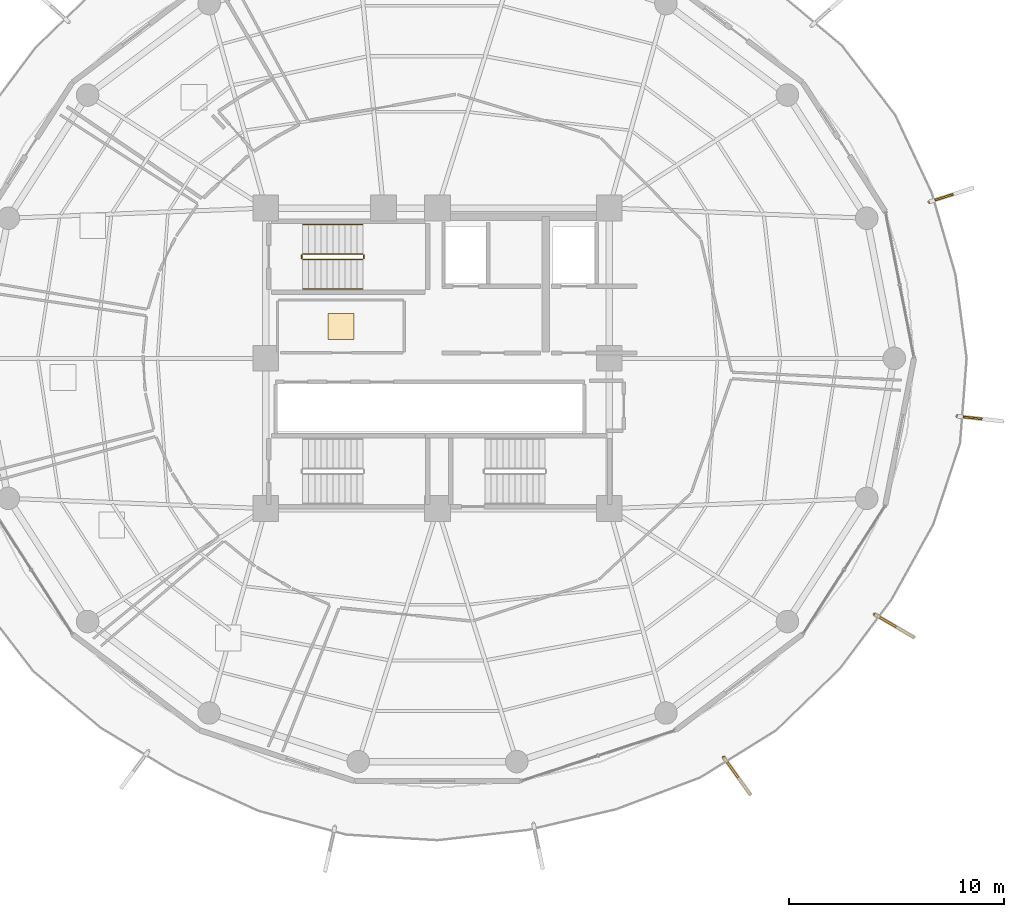
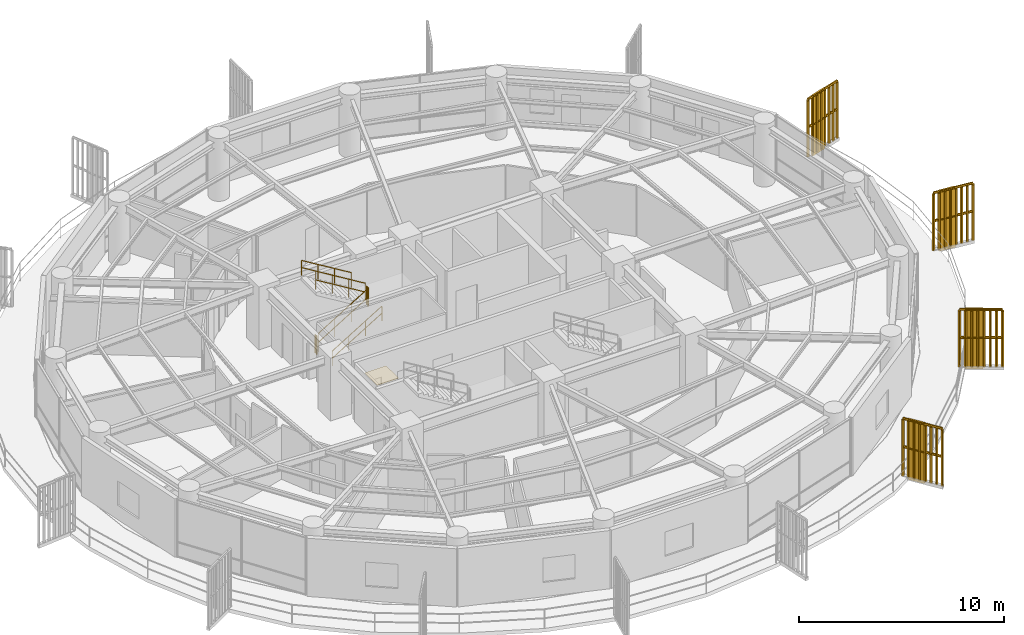
# One storey, part 30 of 31: 10 railings, 4 shading devices, 1 covering.
"""IFC4 building model written with IfcOpenShell, lengths in metres."""

from ifc_helpers import new_model, si_unit, direction, frame, origin, origin_2d, place, context, subcontext, project, spatial, polyline, rectangle, outline, extrude, source, transform, mapped, material, layer, layer_set, type_object, element, save


model = new_model("IFC4")

# Units and contexts
model_context = context("Model", 3, precision=1e-05, world=origin(), true_north=direction((0.0, 1.0)))
body_context = subcontext(model_context, "Body", "Model", "MODEL_VIEW")
ifc_project = project(units=[si_unit("LENGTHUNIT", "METRE"), si_unit("AREAUNIT", "SQUARE_METRE"), si_unit("VOLUMEUNIT", "CUBIC_METRE"), si_unit("PLANEANGLEUNIT", "RADIAN"), si_unit("MASSUNIT", "GRAM", prefix="KILO")], contexts=[model_context])

# Site, building, storey
site_placement = place(None, origin())
site = spatial("IfcSite", under=ifc_project, at=site_placement, CompositionType="ELEMENT")
building_placement = place(site_placement, origin())
building = spatial("IfcBuilding", under=site, at=building_placement, Name="Kelanora Arch Commons", CompositionType="ELEMENT")
storey_placement = place(building_placement, frame((0.0, 0.0, 193.199951171875)))
storey = spatial("IfcBuildingStorey", under=building, at=storey_placement, Name="L49", CompositionType="ELEMENT", Elevation=193.199951171875)

# Railings
ifc_material_1 = material(Name="Anodised bronze vertical shading fin rib assembly")
railing_type_1 = type_object("IfcRailingType", Name="RAIL-FIN-BRZ", PredefinedType="BALUSTRADE", material=ifc_material_1)
railing_1_placement = place(storey_placement, frame((94.361328125, 46.07470703125, -0.02001953125)))
element("IfcRailing", 1, at=railing_1_placement, inside=storey, type_object=railing_type_1, Name="Sweeping Bronze Vertical Fin Blade L49-00", PredefinedType="BALUSTRADE", context=body_context, shape_type="SweptSolid", body=[
    extrude(outline(polyline([(0.06982421875, 0.0), (0.034912109375, 0.060546875), (-0.034912109375, 0.060546875), (-0.06982421875, 0.0), (-0.034912109375, -0.060546875), (0.034912109375, -0.060546875), (0.06982421875, 0.0)])), frame((0.0, 0.0, 3.419921875), z_axis=(0.862891297451, -0.505389561411, 0.0), x_axis=(0.505389561411, 0.862891297451, 0.0)), (0.0, 0.0, 1.0), 2.108154296875),
    extrude(outline(polyline([(0.06982421875, 0.0), (0.034912109375, 0.060546875), (-0.034912109375, 0.060546875), (-0.06982421875, 0.0), (-0.034912109375, -0.060546875), (0.034912109375, -0.060546875), (0.06982421875, 0.0)])), frame((0.0, 0.0, 1.7451171875), z_axis=(0.862891297451, -0.505389561411, 0.0), x_axis=(0.505389561411, 0.862891297451, 0.0)), (0.0, 0.0, 1.0), 2.108154296875),
    extrude(outline(polyline([(0.080078125, 0.0), (0.0400390625, 0.0693359375), (-0.0400390625, 0.0693359375), (-0.080078125, 0.0), (-0.0400390625, -0.0693359375), (0.0400390625, -0.0693359375), (0.080078125, 0.0)])), origin(), (0.0, 0.0, 1.0), 3.35009765625),
    extrude(outline(polyline([(0.080078125, 0.0), (0.0400390625, 0.0693359375), (-0.0400390625, 0.0693359375), (-0.080078125, 0.0), (-0.0400390625, -0.0693359375), (0.0400390625, -0.0693359375), (0.080078125, 0.0)])), frame((0.259765625, -0.152099609375, 0.0)), (0.0, 0.0, 1.0), 3.35009765625),
    extrude(outline(polyline([(0.080078125, 0.0), (0.0400390625, 0.0693359375), (-0.0400390625, 0.0693359375), (-0.080078125, 0.0), (-0.0400390625, -0.0693359375), (0.0400390625, -0.0693359375), (0.080078125, 0.0)])), frame((0.519775390625, -0.304443359375, 0.0)), (0.0, 0.0, 1.0), 3.35009765625),
    extrude(outline(polyline([(0.080078125, 0.0), (0.0400390625, 0.0693359375), (-0.0400390625, 0.0693359375), (-0.080078125, 0.0), (-0.0400390625, -0.0693359375), (0.0400390625, -0.0693359375), (0.080078125, 0.0)])), frame((0.779541015625, -0.45654296875, 0.0)), (0.0, 0.0, 1.0), 3.35009765625),
    extrude(outline(polyline([(0.080078125, 0.0), (0.0400390625, 0.0693359375), (-0.0400390625, 0.0693359375), (-0.080078125, 0.0), (-0.0400390625, -0.0693359375), (0.0400390625, -0.0693359375), (0.080078125, 0.0)])), frame((1.03955078125, -0.60888671875, 0.0)), (0.0, 0.0, 1.0), 3.35009765625),
    extrude(outline(polyline([(0.080078125, 0.0), (0.0400390625, 0.0693359375), (-0.0400390625, 0.0693359375), (-0.080078125, 0.0), (-0.0400390625, -0.0693359375), (0.0400390625, -0.0693359375), (0.080078125, 0.0)])), frame((1.29931640625, -0.760986328125, 0.0)), (0.0, 0.0, 1.0), 3.35009765625),
    extrude(outline(polyline([(0.080078125, 0.0), (0.0400390625, 0.0693359375), (-0.0400390625, 0.0693359375), (-0.080078125, 0.0), (-0.0400390625, -0.0693359375), (0.0400390625, -0.0693359375), (0.080078125, 0.0)])), frame((1.559326171875, -0.913330078125, 0.0)), (0.0, 0.0, 1.0), 3.35009765625),
    extrude(outline(polyline([(0.080078125, 0.0), (0.0400390625, 0.0693359375), (-0.0400390625, 0.0693359375), (-0.080078125, 0.0), (-0.0400390625, -0.0693359375), (0.0400390625, -0.0693359375), (0.080078125, 0.0)])), frame((1.819091796875, -1.0654296875, 0.0)), (0.0, 0.0, 1.0), 3.35009765625),
])
railing_2_placement = place(storey_placement, frame((98.21533203125, 55.30224609375, -0.02001953125)))
element("IfcRailing", 2, at=railing_2_placement, inside=storey, type_object=railing_type_1, Name="Sweeping Bronze Vertical Fin Blade L49-01", PredefinedType="BALUSTRADE", context=body_context, shape_type="SweptSolid", body=[
    extrude(outline(polyline([(0.06982421875, 0.0), (0.034912109375, 0.060546875), (-0.034912109375, 0.060546875), (-0.06982421875, 0.0), (-0.034912109375, -0.060546875), (0.034912109375, -0.060546875), (0.06982421875, 0.0)])), frame((0.0, 0.0, 3.419921875), z_axis=(0.993852625261, -0.110711152383, 0.0), x_axis=(0.110711152383, 0.993852625261, 0.0)), (0.0, 0.0, 1.0), 2.108154296875),
    extrude(outline(polyline([(0.06982421875, 0.0), (0.034912109375, 0.060546875), (-0.034912109375, 0.060546875), (-0.06982421875, 0.0), (-0.034912109375, -0.060546875), (0.034912109375, -0.060546875), (0.06982421875, 0.0)])), frame((0.0, 0.0, 1.7451171875), z_axis=(0.993852625261, -0.110711152383, 0.0), x_axis=(0.110711152383, 0.993852625261, 0.0)), (0.0, 0.0, 1.0), 2.108154296875),
    extrude(outline(polyline([(0.080078125, 0.0), (0.0400390625, 0.0693359375), (-0.0400390625, 0.0693359375), (-0.080078125, 0.0), (-0.0400390625, -0.0693359375), (0.0400390625, -0.0693359375), (0.080078125, 0.0)])), origin(), (0.0, 0.0, 1.0), 3.35009765625),
    extrude(outline(polyline([(0.080078125, 0.0), (0.0400390625, 0.0693359375), (-0.0400390625, 0.0693359375), (-0.080078125, 0.0), (-0.0400390625, -0.0693359375), (0.0400390625, -0.0693359375), (0.080078125, 0.0)])), frame((0.29931640625, -0.033447265625, 0.0)), (0.0, 0.0, 1.0), 3.35009765625),
    extrude(outline(polyline([(0.080078125, 0.0), (0.0400390625, 0.0693359375), (-0.0400390625, 0.0693359375), (-0.080078125, 0.0), (-0.0400390625, -0.0693359375), (0.0400390625, -0.0693359375), (0.080078125, 0.0)])), frame((0.5986328125, -0.066650390625, 0.0)), (0.0, 0.0, 1.0), 3.35009765625),
    extrude(outline(polyline([(0.080078125, 0.0), (0.0400390625, 0.0693359375), (-0.0400390625, 0.0693359375), (-0.080078125, 0.0), (-0.0400390625, -0.0693359375), (0.0400390625, -0.0693359375), (0.080078125, 0.0)])), frame((0.89794921875, -0.10009765625, 0.0)), (0.0, 0.0, 1.0), 3.35009765625),
    extrude(outline(polyline([(0.080078125, 0.0), (0.0400390625, 0.0693359375), (-0.0400390625, 0.0693359375), (-0.080078125, 0.0), (-0.0400390625, -0.0693359375), (0.0400390625, -0.0693359375), (0.080078125, 0.0)])), frame((1.197265625, -0.13330078125, 0.0)), (0.0, 0.0, 1.0), 3.35009765625),
    extrude(outline(polyline([(0.080078125, 0.0), (0.0400390625, 0.0693359375), (-0.0400390625, 0.0693359375), (-0.080078125, 0.0), (-0.0400390625, -0.0693359375), (0.0400390625, -0.0693359375), (0.080078125, 0.0)])), frame((1.49658203125, -0.166748046875, 0.0)), (0.0, 0.0, 1.0), 3.35009765625),
    extrude(outline(polyline([(0.080078125, 0.0), (0.0400390625, 0.0693359375), (-0.0400390625, 0.0693359375), (-0.080078125, 0.0), (-0.0400390625, -0.0693359375), (0.0400390625, -0.0693359375), (0.080078125, 0.0)])), frame((1.7958984375, -0.199951171875, 0.0)), (0.0, 0.0, 1.0), 3.35009765625),
    extrude(outline(polyline([(0.080078125, 0.0), (0.0400390625, 0.0693359375), (-0.0400390625, 0.0693359375), (-0.080078125, 0.0), (-0.0400390625, -0.0693359375), (0.0400390625, -0.0693359375), (0.080078125, 0.0)])), frame((2.09521484375, -0.2333984375, 0.0)), (0.0, 0.0, 1.0), 3.35009765625),
])
railing_3_placement = place(storey_placement, frame((96.9130859375, 65.287353515625, -0.02001953125)))
element("IfcRailing", 3, at=railing_3_placement, inside=storey, type_object=railing_type_1, Name="Sweeping Bronze Vertical Fin Blade L49-02", PredefinedType="BALUSTRADE", context=body_context, shape_type="SweptSolid", body=[
    extrude(outline(polyline([(0.06982421875, 0.0), (0.034912109375, 0.060546875), (-0.034912109375, 0.060546875), (-0.06982421875, 0.0), (-0.034912109375, -0.060546875), (0.034912109375, -0.060546875), (0.06982421875, 0.0)])), frame((0.0, 0.0, 3.419921875), z_axis=(0.952959237878, 0.3030984839, 0.0), x_axis=(-0.3030984839, 0.952959237878, 0.0)), (0.0, 0.0, 1.0), 2.10791015625),
    extrude(outline(polyline([(0.06982421875, 0.0), (0.034912109375, 0.060546875), (-0.034912109375, 0.060546875), (-0.06982421875, 0.0), (-0.034912109375, -0.060546875), (0.034912109375, -0.060546875), (0.06982421875, 0.0)])), frame((0.0, 0.0, 1.7451171875), z_axis=(0.952959237878, 0.3030984839, 0.0), x_axis=(-0.3030984839, 0.952959237878, 0.0)), (0.0, 0.0, 1.0), 2.10791015625),
    extrude(outline(polyline([(0.080078125, 0.0), (0.0400390625, 0.0693359375), (-0.0400390625, 0.0693359375), (-0.080078125, 0.0), (-0.0400390625, -0.0693359375), (0.0400390625, -0.0693359375), (0.080078125, 0.0)])), origin(), (0.0, 0.0, 1.0), 3.35009765625),
    extrude(outline(polyline([(0.080078125, 0.0), (0.0400390625, 0.0693359375), (-0.0400390625, 0.0693359375), (-0.080078125, 0.0), (-0.0400390625, -0.0693359375), (0.0400390625, -0.0693359375), (0.080078125, 0.0)])), frame((0.286865234375, 0.09130859375, 0.0)), (0.0, 0.0, 1.0), 3.35009765625),
    extrude(outline(polyline([(0.080078125, 0.0), (0.0400390625, 0.0693359375), (-0.0400390625, 0.0693359375), (-0.080078125, 0.0), (-0.0400390625, -0.0693359375), (0.0400390625, -0.0693359375), (0.080078125, 0.0)])), frame((0.573974609375, 0.1826171875, 0.0)), (0.0, 0.0, 1.0), 3.35009765625),
    extrude(outline(polyline([(0.080078125, 0.0), (0.0400390625, 0.0693359375), (-0.0400390625, 0.0693359375), (-0.080078125, 0.0), (-0.0400390625, -0.0693359375), (0.0400390625, -0.0693359375), (0.080078125, 0.0)])), frame((0.86083984375, 0.27392578125, 0.0)), (0.0, 0.0, 1.0), 3.35009765625),
    extrude(outline(polyline([(0.080078125, 0.0), (0.0400390625, 0.0693359375), (-0.0400390625, 0.0693359375), (-0.080078125, 0.0), (-0.0400390625, -0.0693359375), (0.0400390625, -0.0693359375), (0.080078125, 0.0)])), frame((1.14794921875, 0.364990234375, 0.0)), (0.0, 0.0, 1.0), 3.35009765625),
    extrude(outline(polyline([(0.080078125, 0.0), (0.0400390625, 0.0693359375), (-0.0400390625, 0.0693359375), (-0.080078125, 0.0), (-0.0400390625, -0.0693359375), (0.0400390625, -0.0693359375), (0.080078125, 0.0)])), frame((1.434814453125, 0.456298828125, 0.0)), (0.0, 0.0, 1.0), 3.35009765625),
    extrude(outline(polyline([(0.080078125, 0.0), (0.0400390625, 0.0693359375), (-0.0400390625, 0.0693359375), (-0.080078125, 0.0), (-0.0400390625, -0.0693359375), (0.0400390625, -0.0693359375), (0.080078125, 0.0)])), frame((1.721923828125, 0.547607421875, 0.0)), (0.0, 0.0, 1.0), 3.35009765625),
    extrude(outline(polyline([(0.080078125, 0.0), (0.0400390625, 0.0693359375), (-0.0400390625, 0.0693359375), (-0.080078125, 0.0), (-0.0400390625, -0.0693359375), (0.0400390625, -0.0693359375), (0.080078125, 0.0)])), frame((2.0087890625, 0.638916015625, 0.0)), (0.0, 0.0, 1.0), 3.35009765625),
])
railing_4_placement = place(storey_placement, frame((87.32958984375, 39.410888671875, -0.02001953125)))
element("IfcRailing", 4, at=railing_4_placement, inside=storey, type_object=railing_type_1, Name="Sweeping Bronze Vertical Fin Blade L49-14", PredefinedType="BALUSTRADE", context=body_context, shape_type="SweptSolid", body=[
    extrude(outline(polyline([(0.06982421875, 0.0), (0.034912109375, 0.060546875), (-0.034912109375, 0.060546875), (-0.06982421875, 0.0), (-0.034912109375, -0.060546875), (0.034912109375, -0.060546875), (0.06982421875, 0.0)])), frame((0.0, 0.0, 3.419921875), z_axis=(0.582759931499, -0.812644363937, 0.0), x_axis=(0.812644363937, 0.582759931499, 0.0)), (0.0, 0.0, 1.0), 2.108154296875),
    extrude(outline(polyline([(0.06982421875, 0.0), (0.034912109375, 0.060546875), (-0.034912109375, 0.060546875), (-0.06982421875, 0.0), (-0.034912109375, -0.060546875), (0.034912109375, -0.060546875), (0.06982421875, 0.0)])), frame((0.0, 0.0, 1.7451171875), z_axis=(0.582759931499, -0.812644363937, 0.0), x_axis=(0.812644363937, 0.582759931499, 0.0)), (0.0, 0.0, 1.0), 2.108154296875),
    extrude(outline(polyline([(0.080078125, 0.0), (0.0400390625, 0.0693359375), (-0.0400390625, 0.0693359375), (-0.080078125, 0.0), (-0.0400390625, -0.0693359375), (0.0400390625, -0.0693359375), (0.080078125, 0.0)])), origin(), (0.0, 0.0, 1.0), 3.35009765625),
    extrude(outline(polyline([(0.080078125, 0.0), (0.0400390625, 0.0693359375), (-0.0400390625, 0.0693359375), (-0.080078125, 0.0), (-0.0400390625, -0.0693359375), (0.0400390625, -0.0693359375), (0.080078125, 0.0)])), frame((0.175537109375, -0.24462890625, 0.0)), (0.0, 0.0, 1.0), 3.35009765625),
    extrude(outline(polyline([(0.080078125, 0.0), (0.0400390625, 0.0693359375), (-0.0400390625, 0.0693359375), (-0.080078125, 0.0), (-0.0400390625, -0.0693359375), (0.0400390625, -0.0693359375), (0.080078125, 0.0)])), frame((0.35107421875, -0.489501953125, 0.0)), (0.0, 0.0, 1.0), 3.35009765625),
    extrude(outline(polyline([(0.080078125, 0.0), (0.0400390625, 0.0693359375), (-0.0400390625, 0.0693359375), (-0.080078125, 0.0), (-0.0400390625, -0.0693359375), (0.0400390625, -0.0693359375), (0.080078125, 0.0)])), frame((0.526611328125, -0.734130859375, 0.0)), (0.0, 0.0, 1.0), 3.35009765625),
    extrude(outline(polyline([(0.080078125, 0.0), (0.0400390625, 0.0693359375), (-0.0400390625, 0.0693359375), (-0.080078125, 0.0), (-0.0400390625, -0.0693359375), (0.0400390625, -0.0693359375), (0.080078125, 0.0)])), frame((0.701904296875, -0.97900390625, 0.0)), (0.0, 0.0, 1.0), 3.35009765625),
    extrude(outline(polyline([(0.080078125, 0.0), (0.0400390625, 0.0693359375), (-0.0400390625, 0.0693359375), (-0.080078125, 0.0), (-0.0400390625, -0.0693359375), (0.0400390625, -0.0693359375), (0.080078125, 0.0)])), frame((0.87744140625, -1.2236328125, 0.0)), (0.0, 0.0, 1.0), 3.35009765625),
    extrude(outline(polyline([(0.080078125, 0.0), (0.0400390625, 0.0693359375), (-0.0400390625, 0.0693359375), (-0.080078125, 0.0), (-0.0400390625, -0.0693359375), (0.0400390625, -0.0693359375), (0.080078125, 0.0)])), frame((1.052978515625, -1.468505859375, 0.0)), (0.0, 0.0, 1.0), 3.35009765625),
    extrude(outline(polyline([(0.080078125, 0.0), (0.0400390625, 0.0693359375), (-0.0400390625, 0.0693359375), (-0.080078125, 0.0), (-0.0400390625, -0.0693359375), (0.0400390625, -0.0693359375), (0.080078125, 0.0)])), frame((1.228515625, -1.713134765625, 0.0)), (0.0, 0.0, 1.0), 3.35009765625),
])
ifc_material_2 = material(Name="Painted steel stair well guard", Category="steel")
railing_type_2 = type_object("IfcRailingType", Name="RAIL-STAIR-GRD", PredefinedType="GUARDRAIL", material=ifc_material_2)
railing_5_placement = place(storey_placement, frame((67.719970703125, 62.610107421875, 0.17041015625)))
element("IfcRailing", 5, at=railing_5_placement, inside=storey, type_object=railing_type_2, Name="L49 ST-T1 stair guard 1", PredefinedType="GUARDRAIL", context=body_context, shape_type="SweptSolid", body=[
    extrude(outline(polyline([(0.02392578125, 0.0), (0.011962890625, 0.020751953125), (-0.011962890625, 0.020751953125), (-0.02392578125, 0.0), (-0.011962890625, -0.020751953125), (0.011962890625, -0.020751953125), (0.02392578125, 0.0)])), frame((0.0, 0.0, 1.076171875), z_axis=(0.854169791009, 0.0, 0.51999420009), x_axis=(0.0, 1.0, 0.0)), (0.0, 0.0, 1.0), 3.278076171875),
    extrude(outline(polyline([(0.02392578125, 0.0), (0.011962890625, 0.020751953125), (-0.011962890625, 0.020751953125), (-0.02392578125, 0.0), (-0.011962890625, -0.020751953125), (0.011962890625, -0.020751953125), (0.02392578125, 0.0)])), frame((0.0, 0.0, 0.550048828125), z_axis=(0.854169791009, 0.0, 0.51999420009), x_axis=(0.0, 1.0, 0.0)), (0.0, 0.0, 1.0), 3.278076171875),
    extrude(outline(polyline([(0.02099609375, 0.0), (0.010498046875, 0.01806640625), (-0.010498046875, 0.01806640625), (-0.02099609375, 0.0), (-0.010498046875, -0.01806640625), (0.010498046875, -0.01806640625), (0.02099609375, 0.0)])), origin(), (0.0, 0.0, 1.0), 1.052001953125),
    extrude(outline(polyline([(0.02099609375, 0.0), (0.010498046875, 0.01806640625), (-0.010498046875, 0.01806640625), (-0.02099609375, 0.0), (-0.010498046875, -0.01806640625), (0.010498046875, -0.01806640625), (0.02099609375, 0.0)])), frame((0.933349609375, 0.0, 0.568115234375)), (0.0, 0.0, 1.0), 1.052001953125),
    extrude(outline(polyline([(0.02099609375, 0.0), (0.010498046875, 0.01806640625), (-0.010498046875, 0.01806640625), (-0.02099609375, 0.0), (-0.010498046875, -0.01806640625), (0.010498046875, -0.01806640625), (0.02099609375, 0.0)])), frame((1.86669921875, 0.0, 1.136474609375)), (0.0, 0.0, 1.0), 1.052001953125),
    extrude(outline(polyline([(0.02099609375, 0.0), (0.010498046875, 0.01806640625), (-0.010498046875, 0.01806640625), (-0.02099609375, 0.0), (-0.010498046875, -0.01806640625), (0.010498046875, -0.01806640625), (0.02099609375, 0.0)])), frame((2.800048828125, 0.0, 1.70458984375)), (0.0, 0.0, 1.0), 1.052001953125),
])
railing_6_placement = place(storey_placement, frame((70.570068359375, 62.659912109375, 1.875)))
element("IfcRailing", 6, at=railing_6_placement, inside=storey, type_object=railing_type_2, Name="L49 ST-T1 stair guard 2", PredefinedType="GUARDRAIL", context=body_context, shape_type="SweptSolid", body=[
    extrude(outline(polyline([(0.02392578125, 0.0), (0.011962890625, 0.020751953125), (-0.011962890625, 0.020751953125), (-0.02392578125, 0.0), (-0.011962890625, -0.020751953125), (0.011962890625, -0.020751953125), (0.02392578125, 0.0)])), frame((0.0, 0.0, 1.076171875), z_axis=(0.0, 1.0, 0.0), x_axis=(-1.0, 0.0, 0.0)), (0.0, 0.0, 1.0), 0.150146484375),
    extrude(outline(polyline([(0.02392578125, 0.0), (0.011962890625, 0.020751953125), (-0.011962890625, 0.020751953125), (-0.02392578125, 0.0), (-0.011962890625, -0.020751953125), (0.011962890625, -0.020751953125), (0.02392578125, 0.0)])), frame((0.0, 0.0, 0.550048828125), z_axis=(0.0, 1.0, 0.0), x_axis=(-1.0, 0.0, 0.0)), (0.0, 0.0, 1.0), 0.150146484375),
    extrude(outline(polyline([(0.02099609375, 0.0), (0.010498046875, 0.01806640625), (-0.010498046875, 0.01806640625), (-0.02099609375, 0.0), (-0.010498046875, -0.01806640625), (0.010498046875, -0.01806640625), (0.02099609375, 0.0)])), origin(), (0.0, 0.0, 1.0), 1.052001953125),
    extrude(outline(polyline([(0.02099609375, 0.0), (0.010498046875, 0.01806640625), (-0.010498046875, 0.01806640625), (-0.02099609375, 0.0), (-0.010498046875, -0.01806640625), (0.010498046875, -0.01806640625), (0.02099609375, 0.0)])), frame((0.0, 0.150146484375, 0.0)), (0.0, 0.0, 1.0), 1.052001953125),
])
railing_7_placement = place(storey_placement, frame((70.52001953125, 62.860107421875, 2.04541015625)))
element("IfcRailing", 7, at=railing_7_placement, inside=storey, type_object=railing_type_2, Name="L49 ST-T1 stair guard 3", PredefinedType="GUARDRAIL", context=body_context, shape_type="SweptSolid", body=[
    extrude(outline(polyline([(0.02392578125, 0.0), (0.011962890625, 0.020751953125), (-0.011962890625, 0.020751953125), (-0.02392578125, 0.0), (-0.011962890625, -0.020751953125), (0.011962890625, -0.020751953125), (0.02392578125, 0.0)])), frame((0.0, 0.0, 1.076171875), z_axis=(-0.854169791009, 0.0, 0.51999420009), x_axis=(0.0, -1.0, 0.0)), (0.0, 0.0, 1.0), 3.278076171875),
    extrude(outline(polyline([(0.02392578125, 0.0), (0.011962890625, 0.020751953125), (-0.011962890625, 0.020751953125), (-0.02392578125, 0.0), (-0.011962890625, -0.020751953125), (0.011962890625, -0.020751953125), (0.02392578125, 0.0)])), frame((0.0, 0.0, 0.550048828125), z_axis=(-0.854169791009, 0.0, 0.51999420009), x_axis=(0.0, -1.0, 0.0)), (0.0, 0.0, 1.0), 3.278076171875),
    extrude(outline(polyline([(0.02099609375, 0.0), (0.010498046875, 0.01806640625), (-0.010498046875, 0.01806640625), (-0.02099609375, 0.0), (-0.010498046875, -0.01806640625), (0.010498046875, -0.01806640625), (0.02099609375, 0.0)])), origin(), (0.0, 0.0, 1.0), 1.052001953125),
    extrude(outline(polyline([(0.02099609375, 0.0), (0.010498046875, 0.01806640625), (-0.010498046875, 0.01806640625), (-0.02099609375, 0.0), (-0.010498046875, -0.01806640625), (0.010498046875, -0.01806640625), (0.02099609375, 0.0)])), frame((-0.933349609375, 0.0, 0.568115234375)), (0.0, 0.0, 1.0), 1.052001953125),
    extrude(outline(polyline([(0.02099609375, 0.0), (0.010498046875, 0.01806640625), (-0.010498046875, 0.01806640625), (-0.02099609375, 0.0), (-0.010498046875, -0.01806640625), (0.010498046875, -0.01806640625), (0.02099609375, 0.0)])), frame((-1.86669921875, 0.0, 1.136474609375)), (0.0, 0.0, 1.0), 1.052001953125),
    extrude(outline(polyline([(0.02099609375, 0.0), (0.010498046875, 0.01806640625), (-0.010498046875, 0.01806640625), (-0.02099609375, 0.0), (-0.010498046875, -0.01806640625), (0.010498046875, -0.01806640625), (0.02099609375, 0.0)])), frame((-2.800048828125, 0.0, 1.70458984375)), (0.0, 0.0, 1.0), 1.052001953125),
])
railing_8_placement = place(storey_placement, frame((67.669921875, 62.659912109375, 0.0)))
element("IfcRailing", 8, at=railing_8_placement, inside=storey, type_object=railing_type_2, Name="L49 ST-T1 stair guard 4", PredefinedType="GUARDRAIL", context=body_context, shape_type="SweptSolid", body=[
    extrude(outline(polyline([(0.02392578125, 0.0), (0.011962890625, 0.020751953125), (-0.011962890625, 0.020751953125), (-0.02392578125, 0.0), (-0.011962890625, -0.020751953125), (0.011962890625, -0.020751953125), (0.02392578125, 0.0)])), frame((0.0, 0.0, 1.076171875), z_axis=(0.0, 1.0, 0.0), x_axis=(-1.0, 0.0, 0.0)), (0.0, 0.0, 1.0), 0.150146484375),
    extrude(outline(polyline([(0.02392578125, 0.0), (0.011962890625, 0.020751953125), (-0.011962890625, 0.020751953125), (-0.02392578125, 0.0), (-0.011962890625, -0.020751953125), (0.011962890625, -0.020751953125), (0.02392578125, 0.0)])), frame((0.0, 0.0, 0.550048828125), z_axis=(0.0, 1.0, 0.0), x_axis=(-1.0, 0.0, 0.0)), (0.0, 0.0, 1.0), 0.150146484375),
    extrude(outline(polyline([(0.02099609375, 0.0), (0.010498046875, 0.01806640625), (-0.010498046875, 0.01806640625), (-0.02099609375, 0.0), (-0.010498046875, -0.01806640625), (0.010498046875, -0.01806640625), (0.02099609375, 0.0)])), origin(), (0.0, 0.0, 1.0), 1.052001953125),
    extrude(outline(polyline([(0.02099609375, 0.0), (0.010498046875, 0.01806640625), (-0.010498046875, 0.01806640625), (-0.02099609375, 0.0), (-0.010498046875, -0.01806640625), (0.010498046875, -0.01806640625), (0.02099609375, 0.0)])), frame((0.0, 0.150146484375, 0.0)), (0.0, 0.0, 1.0), 1.052001953125),
])
ifc_material_3 = material(Name="Brushed stainless steel stair handrail", Category="steel")
railing_type_3 = type_object("IfcRailingType", Name="RAIL-STAIR-HND", PredefinedType="HANDRAIL", material=ifc_material_3)
railing_9_placement = place(storey_placement, frame((67.719970703125, 61.22998046875, 0.17041015625)))
element("IfcRailing", 9, at=railing_9_placement, inside=storey, type_object=railing_type_3, Name="L49 ST-T1 stair handrail 1", PredefinedType="HANDRAIL", context=body_context, shape_type="SweptSolid", body=[
    extrude(outline(polyline([(0.02392578125, 0.0), (0.011962890625, 0.020751953125), (-0.011962890625, 0.020751953125), (-0.02392578125, 0.0), (-0.011962890625, -0.020751953125), (0.011962890625, -0.020751953125), (0.02392578125, 0.0)])), frame((0.0, 0.0, 0.8759765625), z_axis=(0.854169791009, 0.0, 0.51999420009), x_axis=(0.0, 1.0, 0.0)), (0.0, 0.0, 1.0), 3.278076171875),
    extrude(outline(polyline([(0.02392578125, 0.0), (0.011962890625, 0.020751953125), (-0.011962890625, 0.020751953125), (-0.02392578125, 0.0), (-0.011962890625, -0.020751953125), (0.011962890625, -0.020751953125), (0.02392578125, 0.0)])), frame((0.0, 0.0, 0.449951171875), z_axis=(0.854169791009, 0.0, 0.51999420009), x_axis=(0.0, 1.0, 0.0)), (0.0, 0.0, 1.0), 3.278076171875),
    extrude(outline(polyline([(0.02099609375, 0.0), (0.010498046875, 0.01806640625), (-0.010498046875, 0.01806640625), (-0.02099609375, 0.0), (-0.010498046875, -0.01806640625), (0.010498046875, -0.01806640625), (0.02099609375, 0.0)])), origin(), (0.0, 0.0, 1.0), 0.851806640625),
    extrude(outline(polyline([(0.02099609375, 0.0), (0.010498046875, 0.01806640625), (-0.010498046875, 0.01806640625), (-0.02099609375, 0.0), (-0.010498046875, -0.01806640625), (0.010498046875, -0.01806640625), (0.02099609375, 0.0)])), frame((0.933349609375, 0.0, 0.568115234375)), (0.0, 0.0, 1.0), 0.851806640625),
    extrude(outline(polyline([(0.02099609375, 0.0), (0.010498046875, 0.01806640625), (-0.010498046875, 0.01806640625), (-0.02099609375, 0.0), (-0.010498046875, -0.01806640625), (0.010498046875, -0.01806640625), (0.02099609375, 0.0)])), frame((1.86669921875, 0.0, 1.136474609375)), (0.0, 0.0, 1.0), 0.851806640625),
    extrude(outline(polyline([(0.02099609375, 0.0), (0.010498046875, 0.01806640625), (-0.010498046875, 0.01806640625), (-0.02099609375, 0.0), (-0.010498046875, -0.01806640625), (0.010498046875, -0.01806640625), (0.02099609375, 0.0)])), frame((2.800048828125, 0.0, 1.70458984375)), (0.0, 0.0, 1.0), 0.851806640625),
])
railing_10_placement = place(storey_placement, frame((70.52001953125, 64.239990234375, 2.04541015625)))
element("IfcRailing", 10, at=railing_10_placement, inside=storey, type_object=railing_type_3, Name="L49 ST-T1 stair handrail 2", PredefinedType="HANDRAIL", context=body_context, shape_type="SweptSolid", body=[
    extrude(outline(polyline([(0.02392578125, 0.0), (0.011962890625, 0.020751953125), (-0.011962890625, 0.020751953125), (-0.02392578125, 0.0), (-0.011962890625, -0.020751953125), (0.011962890625, -0.020751953125), (0.02392578125, 0.0)])), frame((0.0, 0.0, 0.8759765625), z_axis=(-0.854169791009, 0.0, 0.51999420009), x_axis=(0.0, -1.0, 0.0)), (0.0, 0.0, 1.0), 3.278076171875),
    extrude(outline(polyline([(0.02392578125, 0.0), (0.011962890625, 0.020751953125), (-0.011962890625, 0.020751953125), (-0.02392578125, 0.0), (-0.011962890625, -0.020751953125), (0.011962890625, -0.020751953125), (0.02392578125, 0.0)])), frame((0.0, 0.0, 0.449951171875), z_axis=(-0.854169791009, 0.0, 0.51999420009), x_axis=(0.0, -1.0, 0.0)), (0.0, 0.0, 1.0), 3.278076171875),
    extrude(outline(polyline([(0.02099609375, 0.0), (0.010498046875, 0.01806640625), (-0.010498046875, 0.01806640625), (-0.02099609375, 0.0), (-0.010498046875, -0.01806640625), (0.010498046875, -0.01806640625), (0.02099609375, 0.0)])), origin(), (0.0, 0.0, 1.0), 0.851806640625),
    extrude(outline(polyline([(0.02099609375, 0.0), (0.010498046875, 0.01806640625), (-0.010498046875, 0.01806640625), (-0.02099609375, 0.0), (-0.010498046875, -0.01806640625), (0.010498046875, -0.01806640625), (0.02099609375, 0.0)])), frame((-0.933349609375, 0.0, 0.568115234375)), (0.0, 0.0, 1.0), 0.851806640625),
    extrude(outline(polyline([(0.02099609375, 0.0), (0.010498046875, 0.01806640625), (-0.010498046875, 0.01806640625), (-0.02099609375, 0.0), (-0.010498046875, -0.01806640625), (0.010498046875, -0.01806640625), (0.02099609375, 0.0)])), frame((-1.86669921875, 0.0, 1.136474609375)), (0.0, 0.0, 1.0), 0.851806640625),
    extrude(outline(polyline([(0.02099609375, 0.0), (0.010498046875, 0.01806640625), (-0.010498046875, 0.01806640625), (-0.02099609375, 0.0), (-0.010498046875, -0.01806640625), (0.010498046875, -0.01806640625), (0.02099609375, 0.0)])), frame((-2.800048828125, 0.0, 1.70458984375)), (0.0, 0.0, 1.0), 0.851806640625),
])

# Shading devices
ifc_material_4 = material(Name="Terracotta ceramic-clad extruded aluminium fin", Category="masonry")
shading_device_type = type_object("IfcShadingDeviceType", Name="SHD-FIN-FLARE", PredefinedType="USERDEFINED", material=ifc_material_4)
shared_shape_1 = source(origin(), body_context, "Body", "SweptSolid", [
    extrude(rectangle(XDim=0.8798828125, YDim=0.090087890625, at=origin_2d()), origin(), (0.0, 0.0, 1.0), 3.610107421875),
])
for number, where, z_axis, x_axis, name in (
    (11, (94.982666015625, 45.710693359375, -0.14013671875), (0.0, 0.0, 1.0), (0.862866737202, -0.505431492718, 0.0), "Sweeping Terracotta Fin L49-00"),
    (12, (98.930908203125, 55.222412109375, -0.14013671875), (0.0, 0.0, 1.0), (0.993845496974, -0.110775124211, 0.0), "Sweeping Terracotta Fin L49-01"),
    (13, (97.59912109375, 65.505615234375, -0.14013671875), (0.0, 0.0, 1.0), (0.952979341517, 0.303035269633, 0.0), "Sweeping Terracotta Fin L49-02"),
    (14, (87.749267578125, 38.82568359375, -0.14013671875), (0.0, 0.0, 1.0), (0.582690479669, -0.812694164433, 0.0), "Sweeping Terracotta Fin L49-14"),
):
    element("IfcShadingDevice", number, at=place(storey_placement, frame(where, z_axis=z_axis, x_axis=x_axis)), inside=storey, type_object=shading_device_type, Name=name, ObjectType="FIN", PredefinedType="USERDEFINED", context=body_context, shape_type="MappedRepresentation", body=[
        mapped(shared_shape_1, transform((0.0, 0.0, 0.0), scale=1.0)),
    ])

# Covering
ifc_material_5 = material(Name="Polished local granite terrazzo flooring", Category="masonry")
ifc_layer = layer(ifc_material_5, 0.030029296875)
ifc_layer_set = layer_set([ifc_layer], Name="Polished local granite terrazzo flooring")
covering_type = type_object("IfcCoveringType", Name="COV-FLR-TER", PredefinedType="FLOORING", material=ifc_layer_set)
shared_shape_2 = source(origin(), body_context, "Body", "SweptSolid", [
    extrude(rectangle(XDim=1.199951171875, YDim=1.199951171875, at=origin_2d()), origin(), (0.0, 0.0, 1.0), 0.030029296875),
])
covering_placement = place(storey_placement, frame((69.5, 59.485107421875, 0.0), z_axis=(0.0, 0.0, 1.0), x_axis=(1.0, 0.0, 0.0)))
element("IfcCovering", 15, at=covering_placement, inside=storey, type_object=covering_type, Name="Reclaimed Core Study Pod Lounge L49 Terrazzo Finish", PredefinedType="FLOORING", context=body_context, shape_type="MappedRepresentation", body=[
    mapped(shared_shape_2, transform((0.0, 0.0, 0.0), scale=1.0)),
])

save(model, "model.ifc")
